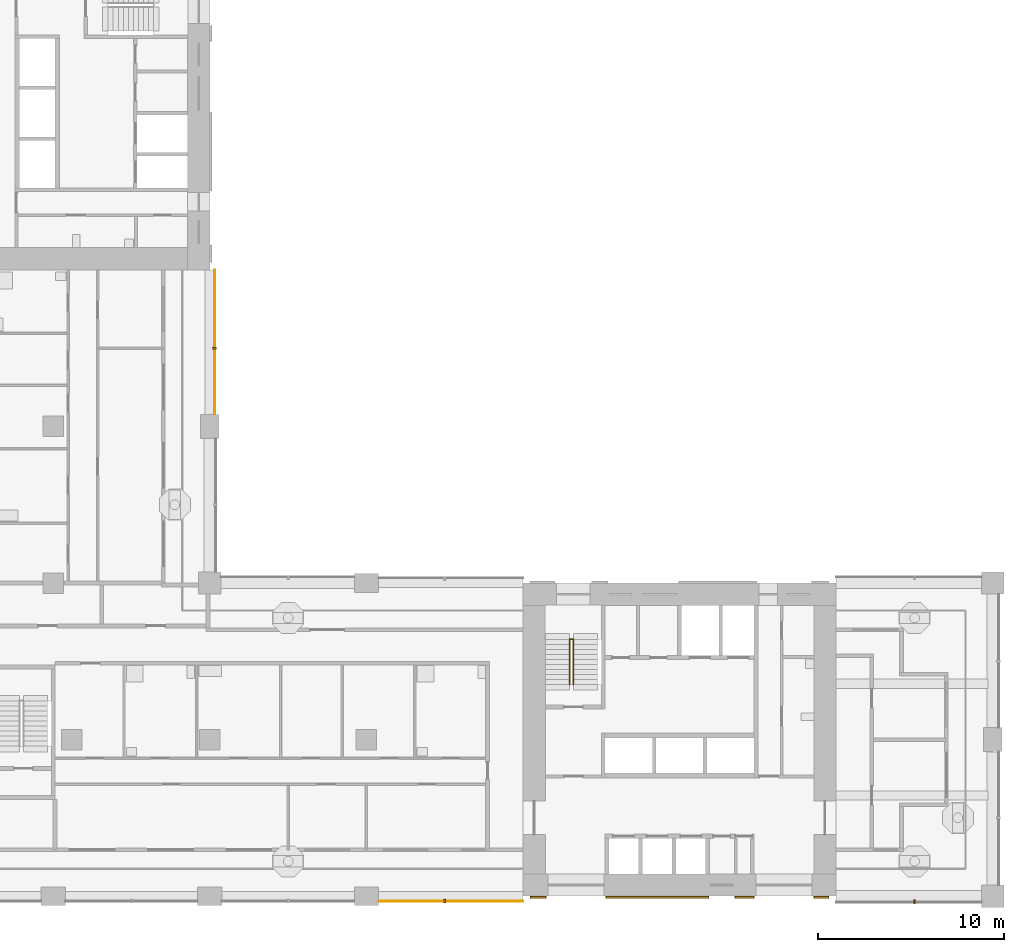
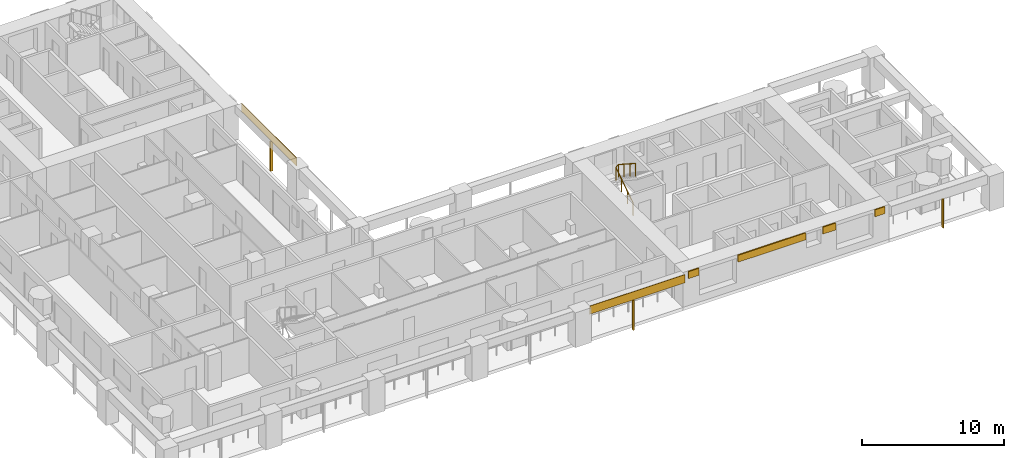
# One storey, part 11 of 18: 9 shading devices, 1 railing.
"""IFC4 building model written with IfcOpenShell, lengths in metres."""

import ifcopenshell
import ifcopenshell.guid

model = None  # the IFC model being written
_history = None  # IfcOwnerHistory: only IFC2X3 demands one
_inside = {}  # id of a spatial element -> (the spatial element, [elements in it])
_under = {}  # id of a project, library or spatial element -> (it, [spatial elements below it])
_declared = {}  # id of a project -> (the project, [libraries it declares])
_typed = {}  # id of a type object -> (the type object, [elements of that type])
_made_of = {}  # id of a material, layer set ... -> (it, [elements and type objects made of it])


def new_model(schema):
    """Start an empty IFC model of exactly this schema.

    Asked for "IFC4X3", IfcOpenShell would pick the latest addendum, in which some entities
    have other attributes; the version numbers below select the first issue.
    IFC2X3 requires an IfcOwnerHistory on every rooted entity: one is made here for all.
    """
    global model, _history
    if schema == "IFC4X3":
        model = ifcopenshell.file(schema_version=(4, 3, 0, 0))
    else:
        model = ifcopenshell.file(schema=schema)
    _inside.clear()
    _under.clear()
    _declared.clear()
    _typed.clear()
    _made_of.clear()
    _history = None
    if model.schema == "IFC2X3":
        org = make("IfcOrganization", Name="unknown")
        user = make(
            "IfcPersonAndOrganization",
            ThePerson=make("IfcPerson", FamilyName="unknown"),
            TheOrganization=org,
        )
        app = make(
            "IfcApplication",
            ApplicationDeveloper=org,
            Version="unknown",
            ApplicationFullName="unknown",
            ApplicationIdentifier="unknown",
        )
        _history = make(
            "IfcOwnerHistory",
            OwningUser=user,
            OwningApplication=app,
            ChangeAction="ADDED",
            CreationDate=0,
        )
    return model


def make(cls, **values):
    """One entity of the class cls with the attributes given. An attribute that is None is left unset."""
    return model.create_entity(
        cls, **{name: value for name, value in values.items() if value is not None}
    )


def rooted(cls, **values):
    """An entity with a GlobalId (a new one), such as an element, a storey or a relation."""
    return make(cls, GlobalId=ifcopenshell.guid.new(), OwnerHistory=_history, **values)


def si_unit(unit_type, name, prefix=None):
    """IfcSIUnit, for example si_unit("LENGTHUNIT", "METRE", prefix="MILLI")."""
    return make("IfcSIUnit", UnitType=unit_type, Prefix=prefix, Name=name)


def assignment(units):
    """IfcUnitAssignment: the units of a project."""
    return None if units is None else make("IfcUnitAssignment", Units=units)


def point(xyz):
    """IfcCartesianPoint."""
    return None if xyz is None else make("IfcCartesianPoint", Coordinates=xyz)


def direction(xyz):
    """IfcDirection."""
    return None if xyz is None else make("IfcDirection", DirectionRatios=xyz)


def frame(location, z_axis=None, x_axis=None):
    """IfcAxis2Placement3D, a coordinate frame: its origin and axes. An axis left out is left unset."""
    return make(
        "IfcAxis2Placement3D",
        Location=point(location),
        Axis=direction(z_axis),
        RefDirection=direction(x_axis),
    )


def frame_2d(location, x_axis=None):
    """IfcAxis2Placement2D, a coordinate frame in the plane: its origin and x axis."""
    return make(
        "IfcAxis2Placement2D", Location=point(location), RefDirection=direction(x_axis)
    )


def origin():
    """The frame at (0, 0, 0) with its axes left unset."""
    return frame((0.0, 0.0, 0.0))


def origin_2d():
    """The frame at (0, 0) in the plane with its x axis left unset."""
    return frame_2d((0.0, 0.0))


def place(relative_to, where):
    """IfcLocalPlacement: puts the frame where relative to a parent placement (None: the world)."""
    return make(
        "IfcLocalPlacement", PlacementRelTo=relative_to, RelativePlacement=where
    )


def context(
    kind, dimensions, precision=None, world=None, true_north=None, identifier=None
):
    """IfcGeometricRepresentationContext, for example the 3D "Model" context."""
    return make(
        "IfcGeometricRepresentationContext",
        ContextIdentifier=identifier,
        ContextType=kind,
        CoordinateSpaceDimension=dimensions,
        Precision=precision,
        WorldCoordinateSystem=world,
        TrueNorth=true_north,
    )


def subcontext(parent, identifier, kind, view, scale=None):
    """IfcGeometricRepresentationSubContext, for example "Body" below "Model"."""
    return make(
        "IfcGeometricRepresentationSubContext",
        ContextIdentifier=identifier,
        ContextType=kind,
        ParentContext=parent,
        TargetScale=scale,
        TargetView=view,
    )


def project(units=None, contexts=None):
    """IfcProject with its units and contexts."""
    return rooted(
        "IfcProject",
        Name="project",
        RepresentationContexts=contexts,
        UnitsInContext=assignment(units),
    )


def spatial(cls, under=None, at=None, **own):
    """A site, building, storey or space (cls), placed at a placement, below another one or the project."""
    s = rooted(cls, ObjectPlacement=at, **own)
    if under is not None:
        _under.setdefault(under.id(), (under, []))[1].append(s)
    return s


def profile(cls, at=None, kind="AREA", **sizes):
    """A parametric profile (cls). Its sizes go by their IFC names, for example OverallWidth=200.0."""
    return make(cls, ProfileType=kind, Position=at, **sizes)


def rectangle(**sizes):
    """IfcRectangleProfileDef."""
    return profile("IfcRectangleProfileDef", **sizes)


def circle(**sizes):
    """IfcCircleProfileDef."""
    return profile("IfcCircleProfileDef", **sizes)


def extrude(swept, where, along, depth):
    """IfcExtrudedAreaSolid: the profile swept, set in the frame where, extruded along a direction by depth."""
    return make(
        "IfcExtrudedAreaSolid",
        SweptArea=swept,
        Position=where,
        ExtrudedDirection=direction(along),
        Depth=depth,
    )


def shape(context_of_items, identifier, shape_type, items):
    """IfcShapeRepresentation: the items that make up one representation, for example the "Body"."""
    return make(
        "IfcShapeRepresentation",
        ContextOfItems=context_of_items,
        RepresentationIdentifier=identifier,
        RepresentationType=shape_type,
        Items=items,
    )


def material(Name=None, Category=None):
    """IfcMaterial."""
    return make("IfcMaterial", Name=Name, Category=Category)


def layer(
    of_material, thickness, ventilated=None, Name=None, Category=None, Priority=None
):
    """IfcMaterialLayer: one layer of a wall or slab, of a material (None: an air gap)."""
    return make(
        "IfcMaterialLayer",
        Material=of_material,
        LayerThickness=thickness,
        IsVentilated=ventilated,
        Name=Name,
        Category=Category,
        Priority=Priority,
    )


def layer_set(layers, Name=None):
    """IfcMaterialLayerSet."""
    return make("IfcMaterialLayerSet", MaterialLayers=layers, LayerSetName=Name)


def material_profile(
    of_material, cross_section, Name=None, Category=None, Priority=None
):
    """IfcMaterialProfile: a cross section and its material."""
    return make(
        "IfcMaterialProfile",
        Name=Name,
        Material=of_material,
        Profile=cross_section,
        Priority=Priority,
        Category=Category,
    )


def profile_set(profiles, Name=None, composite=None):
    """IfcMaterialProfileSet."""
    return make(
        "IfcMaterialProfileSet",
        Name=Name,
        MaterialProfiles=profiles,
        CompositeProfile=composite,
    )


def made_of(thing, what):
    """Note that an element or type object is made of a material, layer set ...; save() writes the relation."""
    if what is not None:
        _made_of.setdefault(what.id(), (what, []))[1].append(thing)
    return thing


def type_object(cls, material=None, **own):
    """A type object (cls), such as IfcWallType, which elements share."""
    return made_of(rooted(cls, **own), material)


def element(
    cls,
    number,
    at=None,
    inside=None,
    cuts=None,
    type_object=None,
    material=None,
    context=None,
    identifier="Body",
    shape_type=None,
    held_by="IfcProductDefinitionShape",
    body=None,
    shapes=None,
    **own,
):
    """One element of the class cls, such as IfcWall. Its Tag is "e" and its number.

    at: its placement. inside: the storey or other place that contains it. cuts: it is an
    opening in that element (IfcRelVoidsElement). A single representation is given by context,
    identifier, shape_type and body (its items); several are given by shapes. held_by: the class
    of the entity that holds the representations. save() writes the other relations.
    """
    e = rooted(cls, Tag="e%d" % number, ObjectPlacement=at, **own)
    if body is not None:
        shapes = [shape(context, identifier, shape_type, body)]
    if shapes is not None:
        e.Representation = make(held_by, Representations=shapes)
    if inside is not None:
        _inside.setdefault(inside.id(), (inside, []))[1].append(e)
    if cuts is not None:
        rooted(
            "IfcRelVoidsElement", RelatingBuildingElement=cuts, RelatedOpeningElement=e
        )
    if type_object is not None:
        _typed.setdefault(type_object.id(), (type_object, []))[1].append(e)
    return made_of(e, material)


def aggregate(whole, parts):
    """IfcRelAggregates: a whole, such as a stair, and the parts it consists of."""
    return rooted("IfcRelAggregates", RelatingObject=whole, RelatedObjects=parts)


def save(model, path):
    """Write the relations noted so far, then the file.

    IfcRelAggregates (storeys below a building ...), IfcRelContainedInSpatialStructure (elements
    in a storey), IfcRelDefinesByType, IfcRelAssociatesMaterial and IfcRelDeclares: one each for
    every whole, place, type object, material and project.
    """
    for whole, parts in _under.values():
        aggregate(whole, parts)
    for where, things in _inside.values():
        rooted(
            "IfcRelContainedInSpatialStructure",
            RelatedElements=things,
            RelatingStructure=where,
        )
    for kind, things in _typed.values():
        rooted("IfcRelDefinesByType", RelatedObjects=things, RelatingType=kind)
    for what, things in _made_of.values():
        rooted("IfcRelAssociatesMaterial", RelatedObjects=things, RelatingMaterial=what)
    for by, libraries in _declared.values():
        rooted("IfcRelDeclares", RelatingContext=by, RelatedDefinitions=libraries)
    model.write(path)


model = new_model("IFC4")

# Units and contexts
model_context = context("Model", 3, precision=1e-05, world=origin(), true_north=direction((0.0, 1.0)))
body_context = subcontext(model_context, "Body", "Model", "MODEL_VIEW")
ifc_project = project(units=[si_unit("LENGTHUNIT", "METRE"), si_unit("AREAUNIT", "SQUARE_METRE"), si_unit("VOLUMEUNIT", "CUBIC_METRE"), si_unit("PLANEANGLEUNIT", "RADIAN"), si_unit("MASSUNIT", "GRAM", prefix="KILO")], contexts=[model_context])

# Site, building, storey
site_placement = place(None, origin())
site = spatial("IfcSite", under=ifc_project, at=site_placement, CompositionType="ELEMENT")
building_placement = place(site_placement, origin())
building = spatial("IfcBuilding", under=site, at=building_placement, Name="Vermilion Gate Residences", CompositionType="ELEMENT")
storey_placement = place(building_placement, frame((0.0, 0.0, 137.199951171875)))
storey = spatial("IfcBuildingStorey", under=building, at=storey_placement, Name="L35", CompositionType="ELEMENT", Elevation=137.199951171875)

# Shading devices
ifc_material_1 = material(Name="Perforated terracotta", Category="masonry")
ifc_layer_1 = layer(ifc_material_1, 0.0400390625)
ifc_layer_set_1 = layer_set([ifc_layer_1], Name="PERFORATED TERRACOTTA SCREEN 40")
shading_device_type_1 = type_object("IfcShadingDeviceType", Name="PERFORATED TERRACOTTA SCREEN 40", PredefinedType="SHUTTER", material=ifc_layer_set_1)
for number, where, z_axis, x_axis, name in (
    (1, (38.125, 8.1298828125, 2.30029296875), (0.0, 0.0, 1.0), (1.0, 0.0, 0.0), "SCREEN"),
    (2, (25.469970703125, 38.125, 2.30029296875), (0.0, 0.0, 1.0), (0.0, 1.0, 0.0), "SCREEN"),
):
    element("IfcShadingDevice", number, at=place(storey_placement, frame(where, z_axis=z_axis, x_axis=x_axis)), inside=storey, type_object=shading_device_type_1, Name=name, PredefinedType="SHUTTER", context=body_context, shape_type="SweptSolid", body=[
        extrude(rectangle(XDim=7.75, YDim=0.0400390625, at=origin_2d()), origin(), (0.0, 0.0, 1.0), 0.699951171875),
    ])

# Railing
ifc_material_2 = material(Name="Steel S355", Category="steel")
railing_type = type_object("IfcRailingType", Name="STAIR GUARD 1100 STEEL", PredefinedType="GUARDRAIL", material=ifc_material_2)
railing_placement = place(storey_placement, frame((44.5, 19.75, 0.175048828125)))
element("IfcRailing", 3, at=railing_placement, inside=storey, type_object=railing_type, Name="Stair well guard STA1-35", PredefinedType="GUARDRAIL", context=body_context, shape_type="SweptSolid", body=[
    extrude(circle(Radius=0.02392578125, at=origin_2d()), frame((0.0, 0.0, 1.076171875), z_axis=(0.0, 0.839153699163, 0.543894354798), x_axis=(-1.0, 0.0, 0.0)), (0.0, 0.0, 1.0), 2.895751953125),
    extrude(circle(Radius=0.02392578125, at=origin_2d()), frame((0.0, 2.429931640625, 2.65087890625), z_axis=(0.752405939678, 0.0, 0.658699705433), x_axis=(0.0, 1.0, 0.0)), (0.0, 0.0, 1.0), 0.265869140625),
    extrude(circle(Radius=0.02392578125, at=origin_2d()), frame((0.199951171875, 2.429931640625, 2.826171875), z_axis=(0.0, -0.839153699163, 0.543894354798), x_axis=(1.0, 0.0, 0.0)), (0.0, 0.0, 1.0), 2.895751953125),
    extrude(circle(Radius=0.02099609375, at=origin_2d()), origin(), (0.0, 0.0, 1.0), 1.052001953125),
    extrude(circle(Radius=0.02099609375, at=origin_2d()), frame((0.0, 0.81005859375, 0.52490234375)), (0.0, 0.0, 1.0), 1.052001953125),
    extrude(circle(Radius=0.02099609375, at=origin_2d()), frame((0.0, 1.619873046875, 1.050048828125)), (0.0, 0.0, 1.0), 1.052001953125),
    extrude(circle(Radius=0.02099609375, at=origin_2d()), frame((0.0, 2.429931640625, 1.574951171875)), (0.0, 0.0, 1.0), 1.052001953125),
    extrude(circle(Radius=0.02099609375, at=origin_2d()), frame((0.199951171875, 2.429931640625, 1.75)), (0.0, 0.0, 1.0), 1.052001953125),
    extrude(circle(Radius=0.02099609375, at=origin_2d()), frame((0.199951171875, 1.619873046875, 2.27490234375)), (0.0, 0.0, 1.0), 1.052001953125),
    extrude(circle(Radius=0.02099609375, at=origin_2d()), frame((0.199951171875, 0.81005859375, 2.800048828125)), (0.0, 0.0, 1.0), 1.052001953125),
    extrude(circle(Radius=0.02099609375, at=origin_2d()), frame((0.199951171875, 0.0, 3.324951171875)), (0.0, 0.0, 1.0), 1.052001953125),
])

# Shading devices
ifc_material_3 = material(Name="Extruded terracotta", Category="masonry")
ifc_material_profile = material_profile(ifc_material_3, rectangle(XDim=0.199951171875, YDim=0.10009765625, at=origin_2d()), Name="BAGUETTE 100 X 200")
ifc_profile_set = profile_set([ifc_material_profile], Name="Extruded terracotta")
shading_device_type_2 = type_object("IfcShadingDeviceType", Name="TERRACOTTA BAGUETTE 100 X 200", PredefinedType="JALOUSIE", material=ifc_profile_set)
shading_device_1_placement = place(storey_placement, frame((37.800048828125, 8.14990234375, -0.280029296875), z_axis=(0.0, 0.0, 1.0), x_axis=(0.0, 1.0, 0.0)))
element("IfcShadingDevice", 4, at=shading_device_1_placement, inside=storey, type_object=shading_device_type_2, Name="BAGUETTE", PredefinedType="JALOUSIE", context=body_context, shape_type="SweptSolid", body=[
    extrude(rectangle(XDim=0.199951171875, YDim=0.10009765625, at=origin_2d()), origin(), (0.0, 0.0, 1.0), 2.580078125),
])
shading_device_2_placement = place(storey_placement, frame((63.0, 8.10009765625, -0.280029296875), z_axis=(0.0, 0.0, 1.0), x_axis=(0.0, 1.0, 0.0)))
element("IfcShadingDevice", 5, at=shading_device_2_placement, inside=storey, type_object=shading_device_type_2, Name="BAGUETTE", PredefinedType="JALOUSIE", context=body_context, shape_type="SweptSolid", body=[
    extrude(rectangle(XDim=0.199951171875, YDim=0.10009765625, at=origin_2d()), origin(), (0.0, 0.0, 1.0), 2.47998046875),
])
shading_device_3_placement = place(storey_placement, frame((25.449951171875, 37.800048828125, -0.280029296875), z_axis=(0.0, 0.0, 1.0), x_axis=(-1.0, 0.0, 0.0)))
element("IfcShadingDevice", 6, at=shading_device_3_placement, inside=storey, type_object=shading_device_type_2, Name="BAGUETTE", PredefinedType="JALOUSIE", context=body_context, shape_type="SweptSolid", body=[
    extrude(rectangle(XDim=0.199951171875, YDim=0.10009765625, at=origin_2d()), origin(), (0.0, 0.0, 1.0), 2.580078125),
])
ifc_material_4 = material(Name="Extruded terracotta", Category="masonry")
ifc_layer_2 = layer(ifc_material_4, 0.10009765625)
ifc_layer_set_2 = layer_set([ifc_layer_2], Name="TERRACOTTA SPANDREL BAND 600 X 100")
shading_device_type_3 = type_object("IfcShadingDeviceType", Name="TERRACOTTA SPANDREL BAND 600 X 100", PredefinedType="USERDEFINED", material=ifc_layer_set_2)
shading_device_4_placement = place(storey_placement, frame((42.824951171875, 8.35009765625, 2.39990234375), z_axis=(0.0, 0.0, 1.0), x_axis=(1.0, 0.0, 0.0)))
element("IfcShadingDevice", 7, at=shading_device_4_placement, inside=storey, type_object=shading_device_type_3, Name="SPANDREL BAND", ObjectType="BAND", PredefinedType="USERDEFINED", context=body_context, shape_type="SweptSolid", body=[
    extrude(rectangle(XDim=0.85009765625, YDim=0.10009765625, at=origin_2d()), origin(), (0.0, 0.0, 1.0), 0.60009765625),
])
shading_device_5_placement = place(storey_placement, frame((49.199951171875, 8.35009765625, 2.39990234375), z_axis=(0.0, 0.0, 1.0), x_axis=(1.0, 0.0, 0.0)))
element("IfcShadingDevice", 8, at=shading_device_5_placement, inside=storey, type_object=shading_device_type_3, Name="SPANDREL BAND", ObjectType="BAND", PredefinedType="USERDEFINED", context=body_context, shape_type="SweptSolid", body=[
    extrude(rectangle(XDim=5.5, YDim=0.10009765625, at=origin_2d()), origin(), (0.0, 0.0, 1.0), 0.60009765625),
])
shading_device_6_placement = place(storey_placement, frame((53.875, 8.35009765625, 2.39990234375), z_axis=(0.0, 0.0, 1.0), x_axis=(1.0, 0.0, 0.0)))
element("IfcShadingDevice", 9, at=shading_device_6_placement, inside=storey, type_object=shading_device_type_3, Name="SPANDREL BAND", ObjectType="BAND", PredefinedType="USERDEFINED", context=body_context, shape_type="SweptSolid", body=[
    extrude(rectangle(XDim=1.050048828125, YDim=0.10009765625, at=origin_2d()), origin(), (0.0, 0.0, 1.0), 0.60009765625),
])
shading_device_7_placement = place(storey_placement, frame((58.0, 8.35009765625, 2.39990234375), z_axis=(0.0, 0.0, 1.0), x_axis=(1.0, 0.0, 0.0)))
element("IfcShadingDevice", 10, at=shading_device_7_placement, inside=storey, type_object=shading_device_type_3, Name="SPANDREL BAND", ObjectType="BAND", PredefinedType="USERDEFINED", context=body_context, shape_type="SweptSolid", body=[
    extrude(rectangle(XDim=0.800048828125, YDim=0.10009765625, at=origin_2d()), origin(), (0.0, 0.0, 1.0), 0.60009765625),
])

save(model, "model.ifc")
